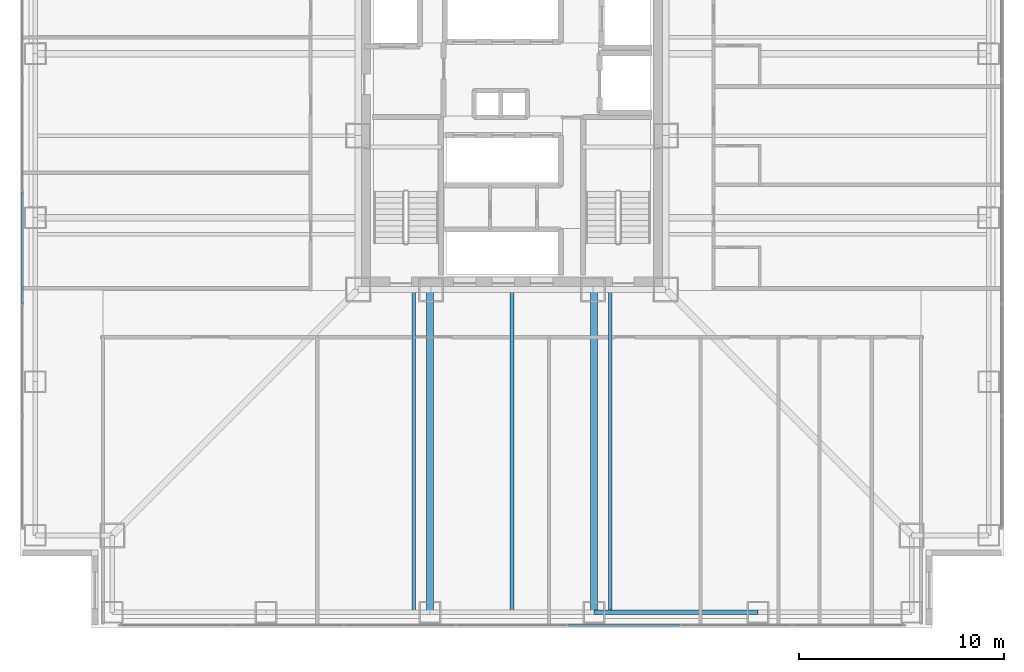
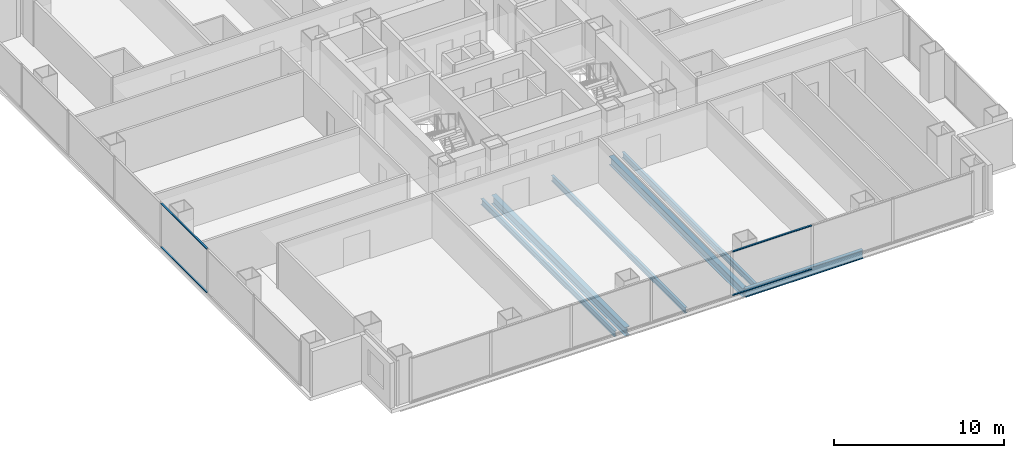
# One storey, part 3 of 16: 6 beams, 4 members, 2 elements without a shape of their own.
"""IFC4 building model written with IfcOpenShell, lengths in metres."""

import ifcopenshell
import ifcopenshell.guid

model = None  # the IFC model being written
_history = None  # IfcOwnerHistory: only IFC2X3 demands one
_inside = {}  # id of a spatial element -> (the spatial element, [elements in it])
_under = {}  # id of a project, library or spatial element -> (it, [spatial elements below it])
_declared = {}  # id of a project -> (the project, [libraries it declares])
_typed = {}  # id of a type object -> (the type object, [elements of that type])
_made_of = {}  # id of a material, layer set ... -> (it, [elements and type objects made of it])


def new_model(schema):
    """Start an empty IFC model of exactly this schema.

    Asked for "IFC4X3", IfcOpenShell would pick the latest addendum, in which some entities
    have other attributes; the version numbers below select the first issue.
    IFC2X3 requires an IfcOwnerHistory on every rooted entity: one is made here for all.
    """
    global model, _history
    if schema == "IFC4X3":
        model = ifcopenshell.file(schema_version=(4, 3, 0, 0))
    else:
        model = ifcopenshell.file(schema=schema)
    _inside.clear()
    _under.clear()
    _declared.clear()
    _typed.clear()
    _made_of.clear()
    _history = None
    if model.schema == "IFC2X3":
        org = make("IfcOrganization", Name="unknown")
        user = make(
            "IfcPersonAndOrganization",
            ThePerson=make("IfcPerson", FamilyName="unknown"),
            TheOrganization=org,
        )
        app = make(
            "IfcApplication",
            ApplicationDeveloper=org,
            Version="unknown",
            ApplicationFullName="unknown",
            ApplicationIdentifier="unknown",
        )
        _history = make(
            "IfcOwnerHistory",
            OwningUser=user,
            OwningApplication=app,
            ChangeAction="ADDED",
            CreationDate=0,
        )
    return model


def make(cls, **values):
    """One entity of the class cls with the attributes given. An attribute that is None is left unset."""
    return model.create_entity(
        cls, **{name: value for name, value in values.items() if value is not None}
    )


def rooted(cls, **values):
    """An entity with a GlobalId (a new one), such as an element, a storey or a relation."""
    return make(cls, GlobalId=ifcopenshell.guid.new(), OwnerHistory=_history, **values)


def si_unit(unit_type, name, prefix=None):
    """IfcSIUnit, for example si_unit("LENGTHUNIT", "METRE", prefix="MILLI")."""
    return make("IfcSIUnit", UnitType=unit_type, Prefix=prefix, Name=name)


def assignment(units):
    """IfcUnitAssignment: the units of a project."""
    return None if units is None else make("IfcUnitAssignment", Units=units)


def point(xyz):
    """IfcCartesianPoint."""
    return None if xyz is None else make("IfcCartesianPoint", Coordinates=xyz)


def direction(xyz):
    """IfcDirection."""
    return None if xyz is None else make("IfcDirection", DirectionRatios=xyz)


def frame(location, z_axis=None, x_axis=None):
    """IfcAxis2Placement3D, a coordinate frame: its origin and axes. An axis left out is left unset."""
    return make(
        "IfcAxis2Placement3D",
        Location=point(location),
        Axis=direction(z_axis),
        RefDirection=direction(x_axis),
    )


def frame_2d(location, x_axis=None):
    """IfcAxis2Placement2D, a coordinate frame in the plane: its origin and x axis."""
    return make(
        "IfcAxis2Placement2D", Location=point(location), RefDirection=direction(x_axis)
    )


def origin():
    """The frame at (0, 0, 0) with its axes left unset."""
    return frame((0.0, 0.0, 0.0))


def origin_2d():
    """The frame at (0, 0) in the plane with its x axis left unset."""
    return frame_2d((0.0, 0.0))


def place(relative_to, where):
    """IfcLocalPlacement: puts the frame where relative to a parent placement (None: the world)."""
    return make(
        "IfcLocalPlacement", PlacementRelTo=relative_to, RelativePlacement=where
    )


def context(
    kind, dimensions, precision=None, world=None, true_north=None, identifier=None
):
    """IfcGeometricRepresentationContext, for example the 3D "Model" context."""
    return make(
        "IfcGeometricRepresentationContext",
        ContextIdentifier=identifier,
        ContextType=kind,
        CoordinateSpaceDimension=dimensions,
        Precision=precision,
        WorldCoordinateSystem=world,
        TrueNorth=true_north,
    )


def subcontext(parent, identifier, kind, view, scale=None):
    """IfcGeometricRepresentationSubContext, for example "Body" below "Model"."""
    return make(
        "IfcGeometricRepresentationSubContext",
        ContextIdentifier=identifier,
        ContextType=kind,
        ParentContext=parent,
        TargetScale=scale,
        TargetView=view,
    )


def project(units=None, contexts=None):
    """IfcProject with its units and contexts."""
    return rooted(
        "IfcProject",
        Name="project",
        RepresentationContexts=contexts,
        UnitsInContext=assignment(units),
    )


def spatial(cls, under=None, at=None, **own):
    """A site, building, storey or space (cls), placed at a placement, below another one or the project."""
    s = rooted(cls, ObjectPlacement=at, **own)
    if under is not None:
        _under.setdefault(under.id(), (under, []))[1].append(s)
    return s


def profile(cls, at=None, kind="AREA", **sizes):
    """A parametric profile (cls). Its sizes go by their IFC names, for example OverallWidth=200.0."""
    return make(cls, ProfileType=kind, Position=at, **sizes)


def rectangle(**sizes):
    """IfcRectangleProfileDef."""
    return profile("IfcRectangleProfileDef", **sizes)


def i_section(**sizes):
    """IfcIShapeProfileDef."""
    return profile("IfcIShapeProfileDef", **sizes)


def extrude(swept, where, along, depth):
    """IfcExtrudedAreaSolid: the profile swept, set in the frame where, extruded along a direction by depth."""
    return make(
        "IfcExtrudedAreaSolid",
        SweptArea=swept,
        Position=where,
        ExtrudedDirection=direction(along),
        Depth=depth,
    )


def shape(context_of_items, identifier, shape_type, items):
    """IfcShapeRepresentation: the items that make up one representation, for example the "Body"."""
    return make(
        "IfcShapeRepresentation",
        ContextOfItems=context_of_items,
        RepresentationIdentifier=identifier,
        RepresentationType=shape_type,
        Items=items,
    )


def material(Name=None, Category=None):
    """IfcMaterial."""
    return make("IfcMaterial", Name=Name, Category=Category)


def layer(
    of_material, thickness, ventilated=None, Name=None, Category=None, Priority=None
):
    """IfcMaterialLayer: one layer of a wall or slab, of a material (None: an air gap)."""
    return make(
        "IfcMaterialLayer",
        Material=of_material,
        LayerThickness=thickness,
        IsVentilated=ventilated,
        Name=Name,
        Category=Category,
        Priority=Priority,
    )


def layer_set(layers, Name=None):
    """IfcMaterialLayerSet."""
    return make("IfcMaterialLayerSet", MaterialLayers=layers, LayerSetName=Name)


def material_profile(
    of_material, cross_section, Name=None, Category=None, Priority=None
):
    """IfcMaterialProfile: a cross section and its material."""
    return make(
        "IfcMaterialProfile",
        Name=Name,
        Material=of_material,
        Profile=cross_section,
        Priority=Priority,
        Category=Category,
    )


def profile_set(profiles, Name=None, composite=None):
    """IfcMaterialProfileSet."""
    return make(
        "IfcMaterialProfileSet",
        Name=Name,
        MaterialProfiles=profiles,
        CompositeProfile=composite,
    )


def made_of(thing, what):
    """Note that an element or type object is made of a material, layer set ...; save() writes the relation."""
    if what is not None:
        _made_of.setdefault(what.id(), (what, []))[1].append(thing)
    return thing


def type_object(cls, material=None, **own):
    """A type object (cls), such as IfcWallType, which elements share."""
    return made_of(rooted(cls, **own), material)


def element(
    cls,
    number,
    at=None,
    inside=None,
    cuts=None,
    type_object=None,
    material=None,
    context=None,
    identifier="Body",
    shape_type=None,
    held_by="IfcProductDefinitionShape",
    body=None,
    shapes=None,
    **own,
):
    """One element of the class cls, such as IfcWall. Its Tag is "e" and its number.

    at: its placement. inside: the storey or other place that contains it. cuts: it is an
    opening in that element (IfcRelVoidsElement). A single representation is given by context,
    identifier, shape_type and body (its items); several are given by shapes. held_by: the class
    of the entity that holds the representations. save() writes the other relations.
    """
    e = rooted(cls, Tag="e%d" % number, ObjectPlacement=at, **own)
    if body is not None:
        shapes = [shape(context, identifier, shape_type, body)]
    if shapes is not None:
        e.Representation = make(held_by, Representations=shapes)
    if inside is not None:
        _inside.setdefault(inside.id(), (inside, []))[1].append(e)
    if cuts is not None:
        rooted(
            "IfcRelVoidsElement", RelatingBuildingElement=cuts, RelatedOpeningElement=e
        )
    if type_object is not None:
        _typed.setdefault(type_object.id(), (type_object, []))[1].append(e)
    return made_of(e, material)


def aggregate(whole, parts):
    """IfcRelAggregates: a whole, such as a stair, and the parts it consists of."""
    return rooted("IfcRelAggregates", RelatingObject=whole, RelatedObjects=parts)


def save(model, path):
    """Write the relations noted so far, then the file.

    IfcRelAggregates (storeys below a building ...), IfcRelContainedInSpatialStructure (elements
    in a storey), IfcRelDefinesByType, IfcRelAssociatesMaterial and IfcRelDeclares: one each for
    every whole, place, type object, material and project.
    """
    for whole, parts in _under.values():
        aggregate(whole, parts)
    for where, things in _inside.values():
        rooted(
            "IfcRelContainedInSpatialStructure",
            RelatedElements=things,
            RelatingStructure=where,
        )
    for kind, things in _typed.values():
        rooted("IfcRelDefinesByType", RelatedObjects=things, RelatingType=kind)
    for what, things in _made_of.values():
        rooted("IfcRelAssociatesMaterial", RelatedObjects=things, RelatingMaterial=what)
    for by, libraries in _declared.values():
        rooted("IfcRelDeclares", RelatingContext=by, RelatedDefinitions=libraries)
    model.write(path)


model = new_model("IFC4")

# Units and contexts
model_context = context("Model", 3, precision=1e-05, world=origin(), true_north=direction((0.0, 1.0)))
body_context = subcontext(model_context, "Body", "Model", "MODEL_VIEW")
ifc_project = project(units=[si_unit("LENGTHUNIT", "METRE"), si_unit("AREAUNIT", "SQUARE_METRE"), si_unit("VOLUMEUNIT", "CUBIC_METRE"), si_unit("PLANEANGLEUNIT", "RADIAN"), si_unit("MASSUNIT", "GRAM", prefix="KILO")], contexts=[model_context])

# Site, building, storey
site_placement = place(None, origin())
site = spatial("IfcSite", under=ifc_project, at=site_placement, CompositionType="ELEMENT")
building_placement = place(site_placement, origin())
building = spatial("IfcBuilding", under=site, at=building_placement, Name="Trevonay Congress Spire", CompositionType="ELEMENT")
storey_placement = place(building_placement, frame((0.0, 0.0, 72.5)))
storey = spatial("IfcBuildingStorey", under=building, at=storey_placement, Name="L18", CompositionType="ELEMENT", Elevation=72.5)

# Beams
ifc_material_1 = material(Name="Steel ASTM A572 Grade 50", Category="steel")
ifc_material_profile_1 = material_profile(ifc_material_1, i_section(OverallWidth=0.324951171875, OverallDepth=0.615966796875, WebThickness=0.013916015625, FlangeThickness=0.021484375, FilletRadius=0.01806640625, at=origin_2d()), Name="W610x174")
ifc_profile_set_1 = profile_set([ifc_material_profile_1], Name="Steel ASTM A572 Grade 50")
beam_type_1 = type_object("IfcBeamType", Name="BM-GIRD-W610X174", PredefinedType="BEAM", material=ifc_profile_set_1)
for number, where, z_axis, x_axis, name in (
    (1, (-4.0, -7.5, -0.55810546875), (0.0, -1.0, 0.0), (1.0, 0.0, 0.0), "L18 structural beam BM-L18-GS-M"),
    (2, (4.0, -7.5, -0.55810546875), (0.0, -1.0, 0.0), (1.0, 0.0, 0.0), "L18 structural beam BM-L18-GS-P"),
):
    element("IfcBeam", number, at=place(storey_placement, frame(where, z_axis=z_axis, x_axis=x_axis)), inside=storey, type_object=beam_type_1, Name=name, PredefinedType="BEAM", context=body_context, shape_type="SweptSolid", body=[
        extrude(i_section(OverallWidth=0.324951171875, OverallDepth=0.615966796875, WebThickness=0.013916015625, FlangeThickness=0.021484375, FilletRadius=0.01806640625, at=origin_2d()), origin(), (0.0, 0.0, 1.0), 15.75),
    ])
ifc_material_profile_2 = material_profile(ifc_material_1, i_section(OverallWidth=0.22998046875, OverallDepth=0.616943359375, WebThickness=0.01318359375, FlangeThickness=0.022216796875, FilletRadius=0.01611328125, at=origin_2d()), Name="W610x140")
ifc_profile_set_2 = profile_set([ifc_material_profile_2], Name="Steel ASTM A572 Grade 50")
beam_type_2 = type_object("IfcBeamType", Name="BM-RING-W610X140", PredefinedType="BEAM", material=ifc_profile_set_2)
beam_placement = place(storey_placement, frame((4.0, -23.25, -0.55859375), z_axis=(1.0, 0.0, 0.0), x_axis=(0.0, 1.0, 0.0)))
element("IfcBeam", 3, at=beam_placement, inside=storey, type_object=beam_type_2, Name="L18 structural beam BM-L18-PS4", PredefinedType="BEAM", context=body_context, shape_type="SweptSolid", body=[
    extrude(i_section(OverallWidth=0.22998046875, OverallDepth=0.616943359375, WebThickness=0.01318359375, FlangeThickness=0.022216796875, FilletRadius=0.01611328125, at=origin_2d()), origin(), (0.0, 0.0, 1.0), 8.0),
])

# Curtain wall, members
ifc_material_2 = material(Name="Pale Anodised Aluminium EN AW-6063-T6", Category="aluminium")
ifc_layer = layer(ifc_material_2, 0.179931640625, Name="Pale Anodised Aluminium EN AW-6063-T6")
ifc_layer_set = layer_set([ifc_layer], Name="Pale Anodised Aluminium EN AW-6063-T6")
curtain_wall_type = type_object("IfcCurtainWallType", Name="CW-SYS02-HOTEL-PALE-METAL", PredefinedType="NOTDEFINED", material=ifc_layer_set)
curtain_wall_1_placement = place(storey_placement, origin())
curtain_wall_1 = element("IfcCurtainWall", 4, at=curtain_wall_1_placement, inside=storey, type_object=curtain_wall_type, Name="L18 S unitised curtain wall", PredefinedType="NOTDEFINED")
ifc_material_profile_3 = material_profile(ifc_material_2, rectangle(XDim=0.1201171875, YDim=0.06005859375, at=origin_2d()), Name="CW-TRANSOM-120-ALUMINIUM")
ifc_profile_set_3 = profile_set([ifc_material_profile_3], Name="Pale Anodised Aluminium EN AW-6063-T6")
member_type = type_object("IfcMemberType", Name="CW-TRANSOM-120-ALUMINIUM", PredefinedType="USERDEFINED", material=ifc_profile_set_3)
member_1_placement = place(storey_placement, frame((2.765625, -23.8798828125, 0.06005859375), z_axis=(1.0, 0.0, 0.0), x_axis=(0.0, 1.0, 0.0)))
member_1 = element("IfcMember", 5, at=member_1_placement, type_object=member_type, Name="CW02 transom 5.1", ObjectType="TRANSOM", PredefinedType="USERDEFINED", context=body_context, shape_type="SweptSolid", body=[
    extrude(rectangle(XDim=0.1201171875, YDim=0.06005859375, at=origin_2d()), origin(), (0.0, 0.0, 1.0), 5.41162109375),
])
member_2_placement = place(storey_placement, frame((2.765625, -23.8798828125, 3.18994140625), z_axis=(1.0, 0.0, 0.0), x_axis=(0.0, 1.0, 0.0)))
member_2 = element("IfcMember", 6, at=member_2_placement, type_object=member_type, Name="CW02 transom 5.2", ObjectType="TRANSOM", PredefinedType="USERDEFINED", context=body_context, shape_type="SweptSolid", body=[
    extrude(rectangle(XDim=0.1201171875, YDim=0.06005859375, at=origin_2d()), origin(), (0.0, 0.0, 1.0), 5.41162109375),
])
aggregate(curtain_wall_1, [member_1, member_2])

curtain_wall_2_placement = place(storey_placement, origin())
curtain_wall_2 = element("IfcCurtainWall", 7, at=curtain_wall_2_placement, inside=storey, type_object=curtain_wall_type, Name="L18 W unitised curtain wall", PredefinedType="NOTDEFINED")
member_3_placement = place(storey_placement, frame((-23.8798828125, -8.17724609375, 0.06005859375), z_axis=(0.0, 1.0, 0.0), x_axis=(-1.0, 0.0, 0.0)))
member_3 = element("IfcMember", 8, at=member_3_placement, type_object=member_type, Name="CW02 transom 3.1", ObjectType="TRANSOM", PredefinedType="USERDEFINED", context=body_context, shape_type="SweptSolid", body=[
    extrude(rectangle(XDim=0.1201171875, YDim=0.06005859375, at=origin_2d()), origin(), (0.0, 0.0, 1.0), 5.41162109375),
])
member_4_placement = place(storey_placement, frame((-23.8798828125, -8.17724609375, 3.18994140625), z_axis=(0.0, 1.0, 0.0), x_axis=(-1.0, 0.0, 0.0)))
member_4 = element("IfcMember", 9, at=member_4_placement, type_object=member_type, Name="CW02 transom 3.2", ObjectType="TRANSOM", PredefinedType="USERDEFINED", context=body_context, shape_type="SweptSolid", body=[
    extrude(rectangle(XDim=0.1201171875, YDim=0.06005859375, at=origin_2d()), origin(), (0.0, 0.0, 1.0), 5.41162109375),
])
aggregate(curtain_wall_2, [member_3, member_4])

# Beams
ifc_material_profile_4 = material_profile(ifc_material_1, i_section(OverallWidth=0.177978515625, OverallDepth=0.406982421875, WebThickness=0.0078125, FlangeThickness=0.0126953125, FilletRadius=0.012939453125, at=origin_2d()), Name="W410x60")
ifc_profile_set_4 = profile_set([ifc_material_profile_4], Name="Steel ASTM A572 Grade 50")
beam_type_3 = type_object("IfcBeamType", Name="JS-COMP-W410X60", PredefinedType="JOIST", material=ifc_profile_set_4)
for number, where, z_axis, x_axis, name in (
    (10, (-4.800048828125, -23.25, -0.45361328125), (0.0, 1.0, 0.0), (-1.0, 0.0, 0.0), "L18 structural beam JS-L18-NS-S1"),
    (11, (0.0, -23.25, -0.45361328125), (0.0, 1.0, 0.0), (-1.0, 0.0, 0.0), "L18 structural beam JS-L18-NS-S2"),
    (12, (4.800048828125, -23.25, -0.45361328125), (0.0, 1.0, 0.0), (-1.0, 0.0, 0.0), "L18 structural beam JS-L18-NS-S3"),
):
    element("IfcBeam", number, at=place(storey_placement, frame(where, z_axis=z_axis, x_axis=x_axis)), inside=storey, type_object=beam_type_3, Name=name, PredefinedType="JOIST", context=body_context, shape_type="SweptSolid", body=[
        extrude(i_section(OverallWidth=0.177978515625, OverallDepth=0.406982421875, WebThickness=0.0078125, FlangeThickness=0.0126953125, FilletRadius=0.012939453125, at=origin_2d()), origin(), (0.0, 0.0, 1.0), 15.75),
    ])

save(model, "model.ifc")
